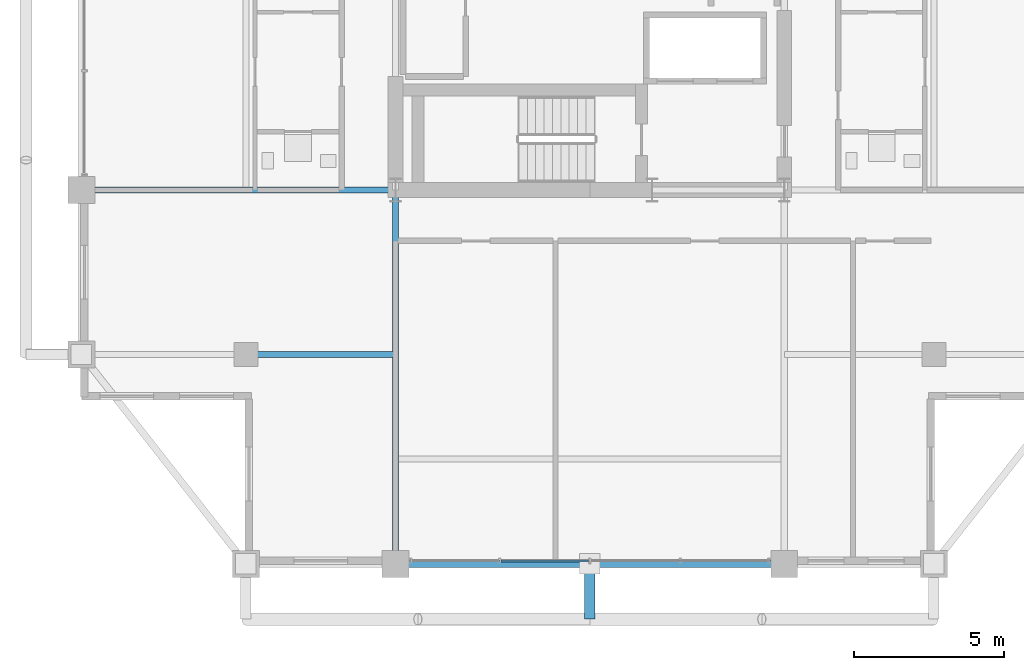
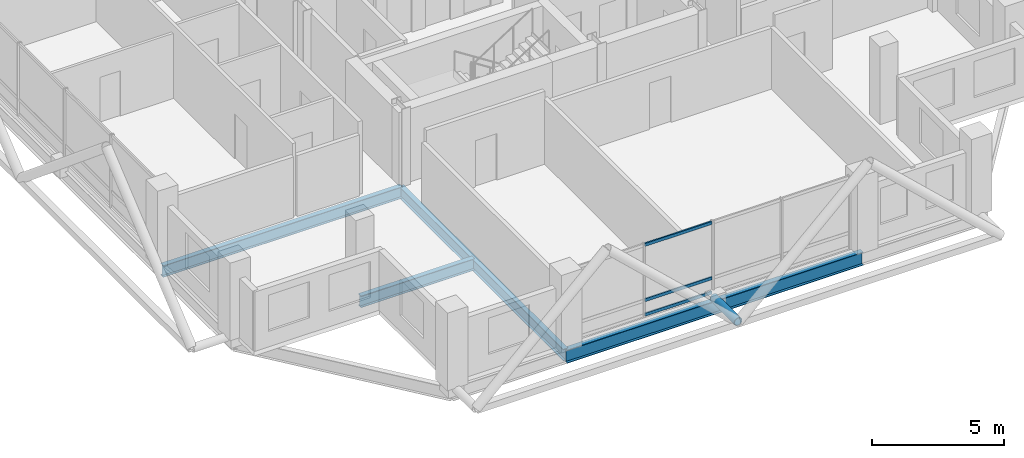
# One storey, part 4 of 24: 4 beams, 4 members, 1 element without a shape of its own.
"""IFC4 building model written with IfcOpenShell, lengths in metres."""

from ifc_helpers import new_model, si_unit, direction, frame, origin, origin_2d, place, context, subcontext, project, spatial, hollow_rectangle, hollow_circle, i_section, extrude, material, layer, layer_set, material_profile, profile_set, type_object, element, aggregate, save


model = new_model("IFC4")

# Units and contexts
model_context = context("Model", 3, precision=1e-05, world=origin(), true_north=direction((0.0, 1.0)))
body_context = subcontext(model_context, "Body", "Model", "MODEL_VIEW")
ifc_project = project(units=[si_unit("LENGTHUNIT", "METRE"), si_unit("AREAUNIT", "SQUARE_METRE"), si_unit("VOLUMEUNIT", "CUBIC_METRE"), si_unit("PLANEANGLEUNIT", "RADIAN"), si_unit("MASSUNIT", "GRAM", prefix="KILO")], contexts=[model_context])

# Site, building, storey
site_placement = place(None, origin())
site = spatial("IfcSite", under=ifc_project, at=site_placement, CompositionType="ELEMENT")
building_placement = place(site_placement, origin())
building = spatial("IfcBuilding", under=site, at=building_placement, Name="Barlavira Tower and Art Museum", CompositionType="ELEMENT")
storey_placement = place(building_placement, frame((0.0, 0.0, 294.300048828125)))
storey = spatial("IfcBuildingStorey", under=building, at=storey_placement, Name="L77", CompositionType="ELEMENT", Elevation=294.300048828125)

# Curtain wall, members
ifc_material_1 = material(Name="Low-iron coastal laminated glass", Category="glass")
ifc_layer = layer(ifc_material_1, 0.2099609375, Name="Low-iron coastal laminated glass")
ifc_layer_set = layer_set([ifc_layer], Name="Low-iron coastal laminated glass")
curtain_wall_type = type_object("IfcCurtainWallType", Name="Pale-Metal Unitised Curtain Wall Zone 4", PredefinedType="NOTDEFINED", material=ifc_layer_set)
curtain_wall_placement = place(storey_placement, origin())
curtain_wall = element("IfcCurtainWall", 1, at=curtain_wall_placement, inside=storey, type_object=curtain_wall_type, Name="L77 Curtain Wall CW4-L77-S-B2", PredefinedType="NOTDEFINED")
ifc_material_2 = material(Name="Pale anodised aluminium", Category="aluminium")
ifc_material_profile_1 = material_profile(ifc_material_2, hollow_rectangle(XDim=0.06494140625, YDim=0.139892578125, WallThickness=0.00390625, at=origin_2d()), Name="ALU-TRAN 65x140x4")
ifc_profile_set_1 = profile_set([ifc_material_profile_1], Name="Pale anodised aluminium")
member_type_1 = type_object("IfcMemberType", Name="Curtain Wall Pale-Metal Transom 65x140", PredefinedType="USERDEFINED", material=ifc_profile_set_1)
member_1_placement = place(storey_placement, frame((-2.969970703125, -19.89990234375, 0.070068359375), z_axis=(1.0, 0.0, 0.0), x_axis=(0.0, 1.0, 0.0)))
member_1 = element("IfcMember", 2, at=member_1_placement, type_object=member_type_1, Name="CW4-L77-S-B2 Transom 1.1", ObjectType="TRANSOM", PredefinedType="USERDEFINED", context=body_context, shape_type="SweptSolid", body=[
    extrude(hollow_rectangle(XDim=0.06494140625, YDim=0.139892578125, WallThickness=0.00390625, at=origin_2d()), origin(), (0.0, 0.0, 1.0), 2.925048828125),
])
member_2_placement = place(storey_placement, frame((-2.969970703125, -19.89990234375, 0.743896484375), z_axis=(1.0, 0.0, 0.0), x_axis=(0.0, 1.0, 0.0)))
member_2 = element("IfcMember", 3, at=member_2_placement, type_object=member_type_1, Name="CW4-L77-S-B2 Transom 1.2", ObjectType="TRANSOM", PredefinedType="USERDEFINED", context=body_context, shape_type="SweptSolid", body=[
    extrude(hollow_rectangle(XDim=0.06494140625, YDim=0.139892578125, WallThickness=0.00390625, at=origin_2d()), origin(), (0.0, 0.0, 1.0), 2.925048828125),
])
member_3_placement = place(storey_placement, frame((-2.969970703125, -19.89990234375, 3.31005859375), z_axis=(1.0, 0.0, 0.0), x_axis=(0.0, 1.0, 0.0)))
member_3 = element("IfcMember", 4, at=member_3_placement, type_object=member_type_1, Name="CW4-L77-S-B2 Transom 1.3", ObjectType="TRANSOM", PredefinedType="USERDEFINED", context=body_context, shape_type="SweptSolid", body=[
    extrude(hollow_rectangle(XDim=0.06494140625, YDim=0.139892578125, WallThickness=0.00390625, at=origin_2d()), origin(), (0.0, 0.0, 1.0), 2.925048828125),
])
aggregate(curtain_wall, [member_1, member_2, member_3])

# Member
ifc_material_3 = material(Name="Steel S355", Category="steel")
ifc_material_profile_2 = material_profile(ifc_material_3, hollow_circle(Radius=0.177734375, WallThickness=0.01611328125, at=origin_2d()), Name="CHS 355.6x16.0")
ifc_profile_set_2 = profile_set([ifc_material_profile_2], Name="Steel S355")
member_type_2 = type_object("IfcMemberType", Name="Pale-Metal Exoskeleton Tie Strut CHS 356x16 Steel S355", PredefinedType="STRUT", material=ifc_profile_set_2)
member_4_placement = place(storey_placement, frame((0.0, -21.85009765625, -0.1201171875), z_axis=(0.0, 1.0, 0.0), x_axis=(-1.0, 0.0, 0.0)))
element("IfcMember", 5, at=member_4_placement, inside=storey, type_object=member_type_2, Name="L77 Exoskeleton Tie Strut S2", PredefinedType="STRUT", context=body_context, shape_type="SweptSolid", body=[
    extrude(hollow_circle(Radius=0.177734375, WallThickness=0.01611328125, at=origin_2d()), origin(), (0.0, 0.0, 1.0), 1.85009765625),
])

# Beams
ifc_material_profile_3 = material_profile(ifc_material_3, i_section(OverallWidth=0.22998046875, OverallDepth=0.616943359375, WebThickness=0.01318359375, FlangeThickness=0.022216796875, at=origin_2d()), Name="W610x140.0")
ifc_profile_set_3 = profile_set([ifc_material_profile_3], Name="Steel S355")
beam_type_1 = type_object("IfcBeamType", Name="Upper Shaft Spandrel Edge Beam W610x140 Steel S355", PredefinedType="SPANDREL", material=ifc_profile_set_3)
beam_1_placement = place(storey_placement, frame((-6.5, -20.0, -0.528564453125), z_axis=(1.0, 0.0, 0.0), x_axis=(0.0, 1.0, 0.0)))
element("IfcBeam", 6, at=beam_1_placement, inside=storey, type_object=beam_type_1, Name="L77 Spandrel 2", PredefinedType="SPANDREL", context=body_context, shape_type="SweptSolid", body=[
    extrude(i_section(OverallWidth=0.22998046875, OverallDepth=0.616943359375, WebThickness=0.01318359375, FlangeThickness=0.022216796875, at=origin_2d()), origin(), (0.0, 0.0, 1.0), 13.0),
])
ifc_material_profile_4 = material_profile(ifc_material_3, i_section(OverallWidth=0.2109375, OverallDepth=0.5390625, WebThickness=0.01171875, FlangeThickness=0.018798828125, at=origin_2d()), Name="W530x109.0")
ifc_profile_set_4 = profile_set([ifc_material_profile_4], Name="Steel S355")
beam_type_2 = type_object("IfcBeamType", Name="Zone 3-4 Primary Floor Girder W530x109 Steel S355", PredefinedType="BEAM", material=ifc_profile_set_4)
beam_2_placement = place(storey_placement, frame((-6.5, -20.0, -0.489501953125), z_axis=(0.0, 1.0, 0.0), x_axis=(-1.0, 0.0, 0.0)))
element("IfcBeam", 7, at=beam_2_placement, inside=storey, type_object=beam_type_2, Name="L77 Girder R-S1", PredefinedType="BEAM", context=body_context, shape_type="SweptSolid", body=[
    extrude(i_section(OverallWidth=0.2109375, OverallDepth=0.5390625, WebThickness=0.01171875, FlangeThickness=0.018798828125, at=origin_2d()), origin(), (0.0, 0.0, 1.0), 12.5),
])
beam_3_placement = place(storey_placement, frame((-17.0, -7.5, -0.489501953125), z_axis=(1.0, 0.0, 0.0), x_axis=(0.0, 1.0, 0.0)))
element("IfcBeam", 8, at=beam_3_placement, inside=storey, type_object=beam_type_2, Name="L77 Girder R-W1", PredefinedType="BEAM", context=body_context, shape_type="SweptSolid", body=[
    extrude(i_section(OverallWidth=0.2109375, OverallDepth=0.5390625, WebThickness=0.01171875, FlangeThickness=0.018798828125, at=origin_2d()), origin(), (0.0, 0.0, 1.0), 10.5),
])
beam_4_placement = place(storey_placement, frame((-11.5, -13.0, -0.489501953125), z_axis=(1.0, 0.0, 0.0), x_axis=(0.0, 1.0, 0.0)))
element("IfcBeam", 9, at=beam_4_placement, inside=storey, type_object=beam_type_2, Name="L77 Girder I-S2", PredefinedType="BEAM", context=body_context, shape_type="SweptSolid", body=[
    extrude(i_section(OverallWidth=0.2109375, OverallDepth=0.5390625, WebThickness=0.01171875, FlangeThickness=0.018798828125, at=origin_2d()), origin(), (0.0, 0.0, 1.0), 5.0),
])

save(model, "model.ifc")
